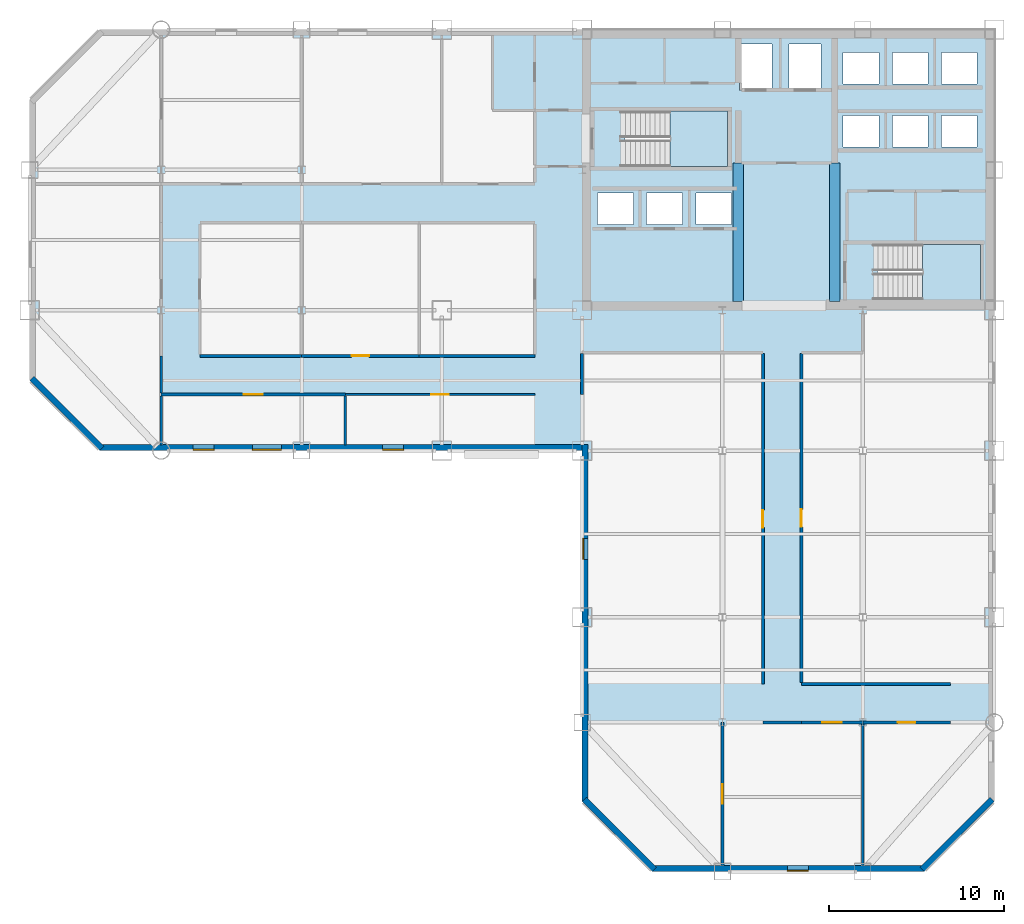
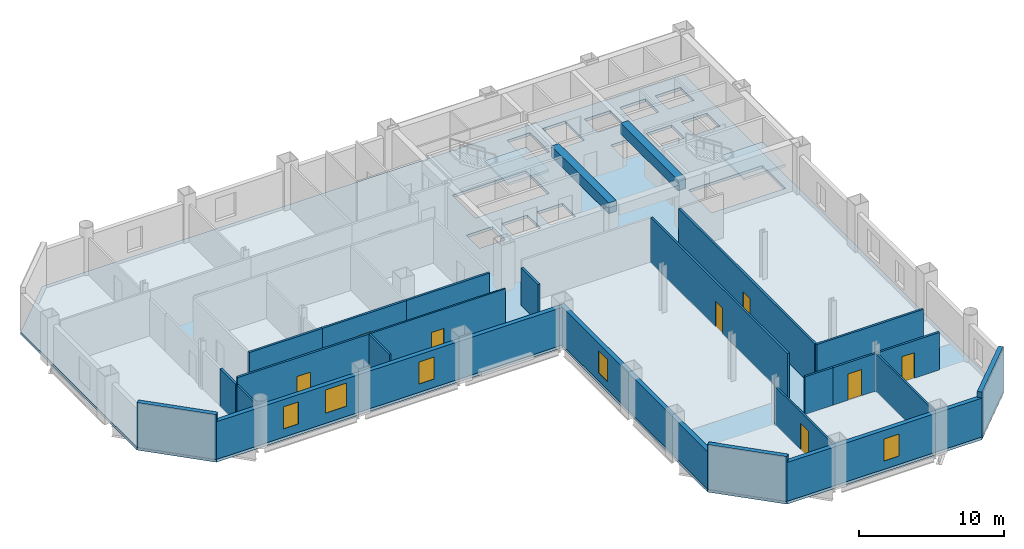
# One storey, part 5 of 10: 23 walls, 8 doors, 5 windows, 3 slabs, 2 beams, 13 openings, 2 elements without a shape of their own.
"""IFC4 building model written with IfcOpenShell, lengths in metres."""

from ifc_helpers import new_model, si_unit, direction, frame, frame_2d, origin, origin_2d, place, context, subcontext, project, spatial, polyline, rectangle, outline, extrude, material, layer, layer_set, material_profile, profile_set, type_object, element, fill, aggregate, save


model = new_model("IFC4")

# Units and contexts
model_context = context("Model", 3, precision=1e-05, world=origin(), true_north=direction((0.0, 1.0)))
body_context = subcontext(model_context, "Body", "Model", "MODEL_VIEW")
ifc_project = project(units=[si_unit("LENGTHUNIT", "METRE"), si_unit("AREAUNIT", "SQUARE_METRE"), si_unit("VOLUMEUNIT", "CUBIC_METRE"), si_unit("PLANEANGLEUNIT", "RADIAN"), si_unit("MASSUNIT", "GRAM", prefix="KILO")], contexts=[model_context])

# Site, building, storey
site_placement = place(None, origin())
site = spatial("IfcSite", under=ifc_project, at=site_placement, CompositionType="ELEMENT")
building_placement = place(site_placement, origin())
building = spatial("IfcBuilding", under=site, at=building_placement, Name="Qianrong Seaharbour Tower", CompositionType="ELEMENT")
storey_placement = place(building_placement, frame((0.0, 0.0, 135.0)))
storey = spatial("IfcBuildingStorey", under=building, at=storey_placement, Name="L32", CompositionType="ELEMENT", Elevation=135.0)

# Beams
ifc_material_1 = material(Name="Concrete C70/85", Category="concrete")
ifc_material_profile = material_profile(ifc_material_1, rectangle(XDim=0.60009765625, YDim=0.89990234375, at=origin_2d()), Name="RC600x900")
ifc_profile_set = profile_set([ifc_material_profile], Name="Concrete C70/85")
beam_type = type_object("IfcBeamType", Name="BM-LINTEL-900", PredefinedType="LINTEL", material=ifc_profile_set)
for number, where, z_axis, x_axis, name in (
    (1, (49.39990234375, 36.5, 3.31494140625), (0.0, 1.0, 0.0), (-1.0, 0.0, 0.0), "L32 Internal Core Coupling Beam IW1"),
    (2, (54.89990234375, 36.5, 3.31494140625), (0.0, 1.0, 0.0), (-1.0, 0.0, 0.0), "L32 Internal Core Coupling Beam IW2"),
):
    element("IfcBeam", number, at=place(storey_placement, frame(where, z_axis=z_axis, x_axis=x_axis)), inside=storey, type_object=beam_type, Name=name, PredefinedType="LINTEL", context=body_context, shape_type="SweptSolid", body=[
        extrude(rectangle(XDim=0.60009765625, YDim=0.89990234375, at=origin_2d()), origin(), (0.0, 0.0, 1.0), 7.89990234375),
    ])

# Stair, slab
ifc_material_2 = material(Name="Concrete C50/60", Category="concrete")
stair_type = type_object("IfcStairType", Name="STAIR-DOGLEG-1500-R22", PredefinedType="HALF_TURN_STAIR", material=ifc_material_2)
stair_1_placement = place(storey_placement, origin())
stair_1 = element("IfcStair", 3, at=stair_1_placement, inside=storey, type_object=stair_type, Name="L32 Protected Escape Stair ST-1", PredefinedType="HALF_TURN_STAIR")
ifc_layer_1 = layer(ifc_material_2, 0.199951171875)
ifc_layer_set_1 = layer_set([ifc_layer_1], Name="Concrete C50/60")
slab_type_1 = type_object("IfcSlabType", Name="SLAB-STAIR-LANDING-200", PredefinedType="LANDING", material=ifc_layer_set_1)
slab_1_placement = place(storey_placement, frame((0.0, 0.0, 1.800048828125)))
slab_1 = element("IfcSlab", 4, at=slab_1_placement, type_object=slab_type_1, Name="ST-1 landing 1", PredefinedType="LANDING", context=body_context, shape_type="SweptSolid", body=[
    extrude(outline(polyline([(45.5, 44.199951171875), (48.800048828125, 44.199951171875), (48.800048828125, 47.35009765625), (45.5, 47.35009765625), (45.5, 44.199951171875)])), origin(), (0.0, 0.0, 1.0), 0.199951171875),
])
aggregate(stair_1, [slab_1])

stair_2_placement = place(storey_placement, origin())
stair_2 = element("IfcStair", 5, at=stair_2_placement, inside=storey, type_object=stair_type, Name="L32 Protected Escape Stair ST-2", PredefinedType="HALF_TURN_STAIR")
slab_2_placement = place(storey_placement, frame((0.0, 0.0, 1.800048828125)))
slab_2 = element("IfcSlab", 6, at=slab_2_placement, type_object=slab_type_1, Name="ST-2 landing 1", PredefinedType="LANDING", context=body_context, shape_type="SweptSolid", body=[
    extrude(outline(polyline([(59.89990234375, 36.60009765625), (63.199951171875, 36.60009765625), (63.199951171875, 39.75), (59.89990234375, 39.75), (59.89990234375, 36.60009765625)])), origin(), (0.0, 0.0, 1.0), 0.199951171875),
])
aggregate(stair_2, [slab_2])

# Slab
ifc_layer_2 = layer(ifc_material_2, 0.235107421875)
ifc_layer_set_2 = layer_set([ifc_layer_2], Name="Concrete C50/60")
slab_type_2 = type_object("IfcSlabType", Name="SLAB-Z2-235", PredefinedType="FLOOR", material=ifc_layer_set_2)
slab_3_placement = place(storey_placement, frame((0.0, 0.0, -0.235107421875)))
element("IfcSlab", 7, at=slab_3_placement, inside=storey, type_object=slab_type_2, Name="L32 Structural Floor Slab", PredefinedType="FLOOR", context=body_context, shape_type="SweptSolid", body=[
    extrude(outline(polyline([(44.5, 4.0), (60.0, 4.0), (64.0, 8.0), (64.0, 52.0), (13.0, 52.0), (9.0, 48.0), (9.0, 32.0), (13.0, 28.0), (40.5, 28.0), (40.5, 8.0), (44.5, 4.0)]), holes=[polyline([(42.93994140625, 44.199951171875), (42.93994140625, 47.35009765625), (48.800048828125, 47.35009765625), (48.800048828125, 44.199951171875), (42.93994140625, 44.199951171875)]), polyline([(57.340087890625, 36.60009765625), (57.340087890625, 39.75), (63.199951171875, 39.75), (63.199951171875, 36.60009765625), (57.340087890625, 36.60009765625)]), polyline([(49.47998046875, 48.530029296875), (49.47998046875, 51.169921875), (51.320068359375, 51.169921875), (51.320068359375, 48.530029296875), (49.47998046875, 48.530029296875)]), polyline([(52.280029296875, 48.530029296875), (52.280029296875, 51.169921875), (54.1201171875, 51.169921875), (54.1201171875, 48.530029296875), (52.280029296875, 48.530029296875)]), polyline([(41.3798828125, 40.89990234375), (41.3798828125, 42.699951171875), (43.419921875, 42.699951171875), (43.419921875, 40.89990234375), (41.3798828125, 40.89990234375)]), polyline([(44.179931640625, 40.89990234375), (44.179931640625, 42.699951171875), (46.219970703125, 42.699951171875), (46.219970703125, 40.89990234375), (44.179931640625, 40.89990234375)]), polyline([(46.97998046875, 40.89990234375), (46.97998046875, 42.699951171875), (49.02001953125, 42.699951171875), (49.02001953125, 40.89990234375), (46.97998046875, 40.89990234375)]), polyline([(55.3798828125, 45.300048828125), (55.3798828125, 47.10009765625), (57.419921875, 47.10009765625), (57.419921875, 45.300048828125), (55.3798828125, 45.300048828125)]), polyline([(58.179931640625, 45.300048828125), (58.179931640625, 47.10009765625), (60.219970703125, 47.10009765625), (60.219970703125, 45.300048828125), (58.179931640625, 45.300048828125)]), polyline([(60.97998046875, 45.300048828125), (60.97998046875, 47.10009765625), (63.02001953125, 47.10009765625), (63.02001953125, 45.300048828125), (60.97998046875, 45.300048828125)]), polyline([(55.3798828125, 48.89990234375), (55.3798828125, 50.699951171875), (57.419921875, 50.699951171875), (57.419921875, 48.89990234375), (55.3798828125, 48.89990234375)]), polyline([(58.179931640625, 48.89990234375), (58.179931640625, 50.699951171875), (60.219970703125, 50.699951171875), (60.219970703125, 48.89990234375), (58.179931640625, 48.89990234375)]), polyline([(60.97998046875, 48.89990234375), (60.97998046875, 50.699951171875), (63.02001953125, 50.699951171875), (63.02001953125, 48.89990234375), (60.97998046875, 48.89990234375)])]), origin(), (0.0, 0.0, 1.0), 0.235107421875),
])

# Wall
ifc_material_3 = material(Name="Fire-rated acoustic gypsum board partition")
ifc_layer_3 = layer(ifc_material_3, 0.1650390625)
ifc_layer_set_3 = layer_set([ifc_layer_3], Name="Fire-rated acoustic gypsum board partition")
wall_type_1 = type_object("IfcWallType", Name="WALL-CORR-PART-165", PredefinedType="PARTITIONING", material=ifc_layer_set_3)
wall_1_placement = place(storey_placement, frame((18.699951171875, 33.39990234375, 0.0), z_axis=(0.0, 0.0, 1.0), x_axis=(1.0, 0.0, 0.0)))
element("IfcWall", 8, at=wall_1_placement, inside=storey, type_object=wall_type_1, Name="L32 Interior Partition Wall 015", PredefinedType="PARTITIONING", context=body_context, shape_type="SweptSolid", body=[
    extrude(rectangle(XDim=5.800048828125, YDim=0.1650390625, at=frame_2d((2.89990234375, 0.0))), origin(), (0.0, 0.0, 1.0), 3.764892578125),
])

# Wall, opening, door
wall_2_placement = place(storey_placement, frame((24.5, 33.39990234375, 0.0), z_axis=(0.0, 0.0, 1.0), x_axis=(1.0, 0.0, 0.0)))
wall_2 = element("IfcWall", 9, at=wall_2_placement, inside=storey, type_object=wall_type_1, Name="L32 Interior Partition Wall 016", PredefinedType="PARTITIONING", context=body_context, shape_type="SweptSolid", body=[
    extrude(rectangle(XDim=6.699951171875, YDim=0.1650390625, at=frame_2d((3.35009765625, 0.0))), origin(), (0.0, 0.0, 1.0), 3.764892578125),
])
opening_1_placement = place(wall_2_placement, frame((2.85009765625, 0.0, 0.0)))
opening_1 = element("IfcOpeningElement", 10, at=opening_1_placement, cuts=wall_2, Name="Opening DO-01", PredefinedType="OPENING", context=body_context, shape_type="SweptSolid", body=[
    extrude(rectangle(XDim=1.0, YDim=2.14990234375, at=frame_2d((0.5, 1.074951171875))), frame((0.0, 0.092529296875, 0.0), z_axis=(0.0, -1.0, 0.0), x_axis=(1.0, 0.0, 0.0)), (0.0, 0.0, 1.0), 0.18505859375),
])
ifc_material_4 = material(Name="Acoustic timber and galvanized steel fire door assembly", Category="steel")
door_type_1 = type_object("IfcDoorType", Name="DOOR-OFFICE-1000x2150", OperationType="NOTDEFINED", PredefinedType="DOOR", material=ifc_material_4)
door_1_placement = place(opening_1_placement, origin())
door_1 = element("IfcDoor", 11, at=door_1_placement, inside=storey, type_object=door_type_1, Name="L32 Project Library 2 Door", OperationType="SINGLE_SWING_LEFT", OverallHeight=2.14990234375, OverallWidth=1.0, PredefinedType="DOOR", context=body_context, shape_type="SweptSolid", body=[
    extrude(rectangle(XDim=1.0, YDim=2.14990234375, at=frame_2d((0.5, 1.074951171875))), frame((0.0, 0.02490234375, 0.0), z_axis=(0.0, -1.0, 0.0), x_axis=(1.0, 0.0, 0.0)), (0.0, 0.0, 1.0), 0.050048828125),
])
fill(opening_1, door_1)

# Walls
wall_3_placement = place(storey_placement, frame((31.199951171875, 33.39990234375, 0.0), z_axis=(0.0, 0.0, 1.0), x_axis=(1.0, 0.0, 0.0)))
element("IfcWall", 12, at=wall_3_placement, inside=storey, type_object=wall_type_1, Name="L32 Interior Partition Wall 017", PredefinedType="PARTITIONING", context=body_context, shape_type="SweptSolid", body=[
    extrude(rectangle(XDim=6.60009765625, YDim=0.1650390625, at=frame_2d((3.300048828125, 0.0))), origin(), (0.0, 0.0, 1.0), 3.764892578125),
])
wall_4_placement = place(storey_placement, frame((16.5, 31.2744140625, 0.0), z_axis=(0.0, 0.0, 1.0), x_axis=(0.0, 1.0, 0.0)))
element("IfcWall", 13, at=wall_4_placement, inside=storey, type_object=wall_type_1, Name="L32 Interior Partition Wall 018", PredefinedType="PARTITIONING", context=body_context, shape_type="SweptSolid", body=[
    extrude(rectangle(XDim=2.12548828125, YDim=0.1650390625, at=frame_2d((1.062744140625, 0.0))), origin(), (0.0, 0.0, 1.0), 3.156982421875),
])

# Wall, opening, door
wall_5_placement = place(storey_placement, frame((27.0, 31.199951171875, 0.0), z_axis=(0.0, 0.0, 1.0), x_axis=(-1.0, 0.0, 0.0)))
wall_5 = element("IfcWall", 14, at=wall_5_placement, inside=storey, type_object=wall_type_1, Name="L32 Interior Partition Wall 019", PredefinedType="PARTITIONING", context=body_context, shape_type="SweptSolid", body=[
    extrude(rectangle(XDim=10.5, YDim=0.1650390625, at=frame_2d((5.25, 0.0))), origin(), (0.0, 0.0, 1.0), 3.764892578125),
])
opening_2_placement = place(wall_5_placement, frame((4.699951171875, 0.0, 0.0)))
opening_2 = element("IfcOpeningElement", 15, at=opening_2_placement, cuts=wall_5, Name="Opening DM-01", PredefinedType="OPENING", context=body_context, shape_type="SweptSolid", body=[
    extrude(rectangle(XDim=1.10009765625, YDim=2.199951171875, at=frame_2d((0.550048828125, 1.10009765625))), frame((0.0, 0.092529296875, 0.0), z_axis=(0.0, -1.0, 0.0), x_axis=(1.0, 0.0, 0.0)), (0.0, 0.0, 1.0), 0.18505859375),
])
door_type_2 = type_object("IfcDoorType", Name="DOOR-MEET-1100x2200", OperationType="NOTDEFINED", PredefinedType="DOOR", material=ifc_material_4)
door_2_placement = place(opening_2_placement, origin())
door_2 = element("IfcDoor", 16, at=door_2_placement, inside=storey, type_object=door_type_2, Name="L32 Meeting Room 1 Door", OperationType="SINGLE_SWING_RIGHT", OverallHeight=2.199951171875, OverallWidth=1.10009765625, PredefinedType="DOOR", context=body_context, shape_type="SweptSolid", body=[
    extrude(rectangle(XDim=1.10009765625, YDim=2.199951171875, at=frame_2d((0.550048828125, 1.10009765625))), frame((0.0, 0.02490234375, 0.0), z_axis=(0.0, -1.0, 0.0), x_axis=(1.0, 0.0, 0.0)), (0.0, 0.0, 1.0), 0.050048828125),
])
fill(opening_2, door_2)

# Wall
wall_6_placement = place(storey_placement, frame((40.5, 33.525390625, 0.0), z_axis=(0.0, 0.0, 1.0), x_axis=(0.0, -1.0, 0.0)))
element("IfcWall", 17, at=wall_6_placement, inside=storey, type_object=wall_type_1, Name="L32 Interior Partition Wall 030", PredefinedType="PARTITIONING", context=body_context, shape_type="SweptSolid", body=[
    extrude(rectangle(XDim=2.325439453125, YDim=0.1650390625, at=frame_2d((1.16259765625, 0.0))), origin(), (0.0, 0.0, 1.0), 3.156982421875),
])

# Wall, opening, door
wall_7_placement = place(storey_placement, frame((53.0, 33.525390625, 0.0), z_axis=(0.0, 0.0, 1.0), x_axis=(0.0, -1.0, 0.0)))
wall_7 = element("IfcWall", 18, at=wall_7_placement, inside=storey, type_object=wall_type_1, Name="L32 Interior Partition Wall 036", PredefinedType="PARTITIONING", context=body_context, shape_type="SweptSolid", body=[
    extrude(rectangle(XDim=18.7509765625, YDim=0.1650390625, at=frame_2d((9.37548828125, 0.0))), origin(), (0.0, 0.0, 1.0), 3.764892578125),
])
opening_3_placement = place(wall_7_placement, frame((8.87548828125, 0.0, 0.0)))
opening_3 = element("IfcOpeningElement", 19, at=opening_3_placement, cuts=wall_7, Name="Opening DO-01", PredefinedType="OPENING", context=body_context, shape_type="SweptSolid", body=[
    extrude(rectangle(XDim=1.0, YDim=2.14990234375, at=frame_2d((0.5, 1.074951171875))), frame((0.0, 0.092529296875, 0.0), z_axis=(0.0, -1.0, 0.0), x_axis=(1.0, 0.0, 0.0)), (0.0, 0.0, 1.0), 0.18505859375),
])
door_3_placement = place(opening_3_placement, origin())
door_3 = element("IfcDoor", 20, at=door_3_placement, inside=storey, type_object=door_type_1, Name="L32 South Wing Open-Plan Office Door", OperationType="SINGLE_SWING_RIGHT", OverallHeight=2.14990234375, OverallWidth=1.0, PredefinedType="DOOR", context=body_context, shape_type="SweptSolid", body=[
    extrude(rectangle(XDim=1.0, YDim=2.14990234375, at=frame_2d((0.5, 1.074951171875))), frame((0.0, 0.02490234375, 0.0), z_axis=(0.0, -1.0, 0.0), x_axis=(1.0, 0.0, 0.0)), (0.0, 0.0, 1.0), 0.050048828125),
])
fill(opening_3, door_3)

wall_8_placement = place(storey_placement, frame((50.800048828125, 14.699951171875, 0.0), z_axis=(0.0, 0.0, 1.0), x_axis=(0.0, 1.0, 0.0)))
wall_8 = element("IfcWall", 21, at=wall_8_placement, inside=storey, type_object=wall_type_1, Name="L32 Interior Partition Wall 037", PredefinedType="PARTITIONING", context=body_context, shape_type="SweptSolid", body=[
    extrude(rectangle(XDim=18.825439453125, YDim=0.1650390625, at=frame_2d((9.41259765625, 0.0))), origin(), (0.0, 0.0, 1.0), 3.764892578125),
])
opening_4_placement = place(wall_8_placement, frame((8.912841796875, 0.0, 0.0)))
opening_4 = element("IfcOpeningElement", 22, at=opening_4_placement, cuts=wall_8, Name="Opening DO-01", PredefinedType="OPENING", context=body_context, shape_type="SweptSolid", body=[
    extrude(rectangle(XDim=1.0, YDim=2.14990234375, at=frame_2d((0.5, 1.074951171875))), frame((0.0, 0.092529296875, 0.0), z_axis=(0.0, -1.0, 0.0), x_axis=(1.0, 0.0, 0.0)), (0.0, 0.0, 1.0), 0.18505859375),
])
door_4_placement = place(opening_4_placement, origin())
door_4 = element("IfcDoor", 23, at=door_4_placement, inside=storey, type_object=door_type_1, Name="L32 West Spine Open-Plan Office Door", OperationType="SINGLE_SWING_LEFT", OverallHeight=2.14990234375, OverallWidth=1.0, PredefinedType="DOOR", context=body_context, shape_type="SweptSolid", body=[
    extrude(rectangle(XDim=1.0, YDim=2.14990234375, at=frame_2d((0.5, 1.074951171875))), frame((0.0, 0.02490234375, 0.0), z_axis=(0.0, -1.0, 0.0), x_axis=(1.0, 0.0, 0.0)), (0.0, 0.0, 1.0), 0.050048828125),
])
fill(opening_4, door_4)

# Walls
wall_9_placement = place(storey_placement, frame((53.0, 12.5, 0.0), z_axis=(0.0, 0.0, 1.0), x_axis=(-1.0, 0.0, 0.0)))
element("IfcWall", 24, at=wall_9_placement, inside=storey, type_object=wall_type_1, Name="L32 Interior Partition Wall 038", PredefinedType="PARTITIONING", context=body_context, shape_type="SweptSolid", body=[
    extrude(rectangle(XDim=2.199951171875, YDim=0.1650390625, at=frame_2d((1.10009765625, 0.0))), origin(), (0.0, 0.0, 1.0), 3.156982421875),
])
wall_10_placement = place(storey_placement, frame((53.0, 14.699951171875, 0.0), z_axis=(0.0, 0.0, 1.0), x_axis=(1.0, 0.0, 0.0)))
element("IfcWall", 25, at=wall_10_placement, inside=storey, type_object=wall_type_1, Name="L32 Interior Partition Wall 039", PredefinedType="PARTITIONING", context=body_context, shape_type="SweptSolid", body=[
    extrude(rectangle(XDim=8.5, YDim=0.1650390625, at=frame_2d((4.25, 0.0))), origin(), (0.0, 0.0, 1.0), 3.764892578125),
])

# Wall, opening, door
wall_11_placement = place(storey_placement, frame((56.5, 12.5, 0.0), z_axis=(0.0, 0.0, 1.0), x_axis=(-1.0, 0.0, 0.0)))
wall_11 = element("IfcWall", 26, at=wall_11_placement, inside=storey, type_object=wall_type_1, Name="L32 Interior Partition Wall 040", PredefinedType="PARTITIONING", context=body_context, shape_type="SweptSolid", body=[
    extrude(rectangle(XDim=3.5, YDim=0.1650390625, at=frame_2d((1.75, 0.0))), origin(), (0.0, 0.0, 1.0), 3.156982421875),
])
opening_5_placement = place(wall_11_placement, frame((1.199951171875, 0.0, 0.0)))
opening_5 = element("IfcOpeningElement", 27, at=opening_5_placement, cuts=wall_11, Name="Opening DM-01", PredefinedType="OPENING", context=body_context, shape_type="SweptSolid", body=[
    extrude(rectangle(XDim=1.10009765625, YDim=2.199951171875, at=frame_2d((0.550048828125, 1.10009765625))), frame((0.0, 0.092529296875, 0.0), z_axis=(0.0, -1.0, 0.0), x_axis=(1.0, 0.0, 0.0)), (0.0, 0.0, 1.0), 0.18505859375),
])
door_5_placement = place(opening_5_placement, origin())
door_5 = element("IfcDoor", 28, at=door_5_placement, inside=storey, type_object=door_type_2, Name="L32 Meeting Room 2 Door", OperationType="SINGLE_SWING_LEFT", OverallHeight=2.199951171875, OverallWidth=1.10009765625, PredefinedType="DOOR", context=body_context, shape_type="SweptSolid", body=[
    extrude(rectangle(XDim=1.10009765625, YDim=2.199951171875, at=frame_2d((0.550048828125, 1.10009765625))), frame((0.0, 0.02490234375, 0.0), z_axis=(0.0, -1.0, 0.0), x_axis=(1.0, 0.0, 0.0)), (0.0, 0.0, 1.0), 0.050048828125),
])
fill(opening_5, door_5)

wall_12_placement = place(storey_placement, frame((61.5, 12.5, 0.0), z_axis=(0.0, 0.0, 1.0), x_axis=(-1.0, 0.0, 0.0)))
wall_12 = element("IfcWall", 29, at=wall_12_placement, inside=storey, type_object=wall_type_1, Name="L32 Interior Partition Wall 041", PredefinedType="PARTITIONING", context=body_context, shape_type="SweptSolid", body=[
    extrude(rectangle(XDim=5.0, YDim=0.1650390625, at=frame_2d((2.5, 0.0))), origin(), (0.0, 0.0, 1.0), 3.156982421875),
])
opening_6_placement = place(wall_12_placement, frame((2.0, 0.0, 0.0)))
opening_6 = element("IfcOpeningElement", 30, at=opening_6_placement, cuts=wall_12, Name="Opening DO-01", PredefinedType="OPENING", context=body_context, shape_type="SweptSolid", body=[
    extrude(rectangle(XDim=1.0, YDim=2.14990234375, at=frame_2d((0.5, 1.074951171875))), frame((0.0, 0.092529296875, 0.0), z_axis=(0.0, -1.0, 0.0), x_axis=(1.0, 0.0, 0.0)), (0.0, 0.0, 1.0), 0.18505859375),
])
door_6_placement = place(opening_6_placement, origin())
door_6 = element("IfcDoor", 31, at=door_6_placement, inside=storey, type_object=door_type_1, Name="L32 Standards Library 3 Door", OperationType="SINGLE_SWING_RIGHT", OverallHeight=2.14990234375, OverallWidth=1.0, PredefinedType="DOOR", context=body_context, shape_type="SweptSolid", body=[
    extrude(rectangle(XDim=1.0, YDim=2.14990234375, at=frame_2d((0.5, 1.074951171875))), frame((0.0, 0.02490234375, 0.0), z_axis=(0.0, -1.0, 0.0), x_axis=(1.0, 0.0, 0.0)), (0.0, 0.0, 1.0), 0.050048828125),
])
fill(opening_6, door_6)

# Wall, opening, window
ifc_material_5 = material(Name="Unitised buff brick on Precast concrete C45/55", Category="masonry")
ifc_layer_4 = layer(ifc_material_5, 0.340087890625)
ifc_layer_set_4 = layer_set([ifc_layer_4], Name="Unitised buff brick on Precast concrete C45/55")
wall_type_2 = type_object("IfcWallType", Name="WALL-EXT-BRICK-BUFF-340", PredefinedType="SOLIDWALL", material=ifc_layer_set_4)
wall_13_placement = place(storey_placement, frame((40.669921875, 8.0, 0.0), z_axis=(0.0, 0.0, 1.0), x_axis=(0.0, 1.0, 0.0)))
wall_13 = element("IfcWall", 32, at=wall_13_placement, inside=storey, type_object=wall_type_2, Name="L32 Exterior Masonry Facade Wall REENTRANT_WEST", PredefinedType="SOLIDWALL", context=body_context, shape_type="SweptSolid", body=[
    extrude(rectangle(XDim=20.340087890625, YDim=0.340087890625, at=frame_2d((10.169921875, 0.0))), origin(), (0.0, 0.0, 1.0), 3.1650390625),
])
opening_7_placement = place(wall_13_placement, frame((13.800048828125, 0.0, 0.699951171875)))
opening_7 = element("IfcOpeningElement", 33, at=opening_7_placement, cuts=wall_13, Name="Opening WN-01", PredefinedType="OPENING", context=body_context, shape_type="SweptSolid", body=[
    extrude(rectangle(XDim=1.199951171875, YDim=1.85009765625, at=frame_2d((0.60009765625, 0.925048828125))), frame((0.0, 0.18017578125, 0.0), z_axis=(0.0, -1.0, 0.0), x_axis=(1.0, 0.0, 0.0)), (0.0, 0.0, 1.0), 0.360107421875),
])
ifc_material_6 = material(Name="Insulated low-e double glazing in thermally broken aluminium 6063-T6 frame", Category="aluminium")
window_type_1 = type_object("IfcWindowType", Name="WIN-PUNCH-1200x1850", PartitioningType="DOUBLE_PANEL_VERTICAL", PredefinedType="WINDOW", material=ifc_material_6)
window_1_placement = place(opening_7_placement, origin())
window_1 = element("IfcWindow", 34, at=window_1_placement, inside=storey, type_object=window_type_1, Name="L32 Deep-Set Punched Window 00.04", OverallHeight=1.85009765625, OverallWidth=1.199951171875, PartitioningType="DOUBLE_PANEL_VERTICAL", PredefinedType="WINDOW", context=body_context, shape_type="SweptSolid", body=[
    extrude(rectangle(XDim=1.199951171875, YDim=1.85009765625, at=frame_2d((0.60009765625, 0.925048828125))), frame((0.0, 0.150146484375, 0.0), z_axis=(0.0, -1.0, 0.0), x_axis=(1.0, 0.0, 0.0)), (0.0, 0.0, 1.0), 0.06005859375),
])
fill(opening_7, window_1)

# Wall, openings, windows
wall_14_placement = place(storey_placement, frame((40.52001953125, 28.169921875, 0.0), z_axis=(0.0, 0.0, 1.0), x_axis=(-1.0, 0.0, 0.0)))
wall_14 = element("IfcWall", 35, at=wall_14_placement, inside=storey, type_object=wall_type_2, Name="L32 Exterior Masonry Facade Wall HARBOUR_RIBBON", PredefinedType="SOLIDWALL", context=body_context, shape_type="SweptSolid", body=[
    extrude(rectangle(XDim=27.52001953125, YDim=0.340087890625, at=frame_2d((13.760009765625, 0.0))), origin(), (0.0, 0.0, 1.0), 3.1650390625),
])
opening_8_placement = place(wall_14_placement, frame((10.199951171875, 0.0, 0.699951171875)))
opening_8 = element("IfcOpeningElement", 36, at=opening_8_placement, cuts=wall_14, Name="Opening WN-01", PredefinedType="OPENING", context=body_context, shape_type="SweptSolid", body=[
    extrude(rectangle(XDim=1.199951171875, YDim=1.85009765625, at=frame_2d((0.60009765625, 0.925048828125))), frame((0.0, 0.18017578125, 0.0), z_axis=(0.0, -1.0, 0.0), x_axis=(1.0, 0.0, 0.0)), (0.0, 0.0, 1.0), 0.360107421875),
])
opening_9_placement = place(wall_14_placement, frame((17.175048828125, 0.0, 0.85009765625)))
opening_9 = element("IfcOpeningElement", 37, at=opening_9_placement, cuts=wall_14, Name="Opening WN-04", PredefinedType="OPENING", context=body_context, shape_type="SweptSolid", body=[
    extrude(rectangle(XDim=1.64990234375, YDim=1.949951171875, at=frame_2d((0.824951171875, 0.97509765625))), frame((0.0, 0.18017578125, 0.0), z_axis=(0.0, -1.0, 0.0), x_axis=(1.0, 0.0, 0.0)), (0.0, 0.0, 1.0), 0.360107421875),
])
opening_10_placement = place(wall_14_placement, frame((21.0, 0.0, 0.699951171875)))
opening_10 = element("IfcOpeningElement", 38, at=opening_10_placement, cuts=wall_14, Name="Opening WN-01", PredefinedType="OPENING", context=body_context, shape_type="SweptSolid", body=[
    extrude(rectangle(XDim=1.199951171875, YDim=1.85009765625, at=frame_2d((0.60009765625, 0.925048828125))), frame((0.0, 0.18017578125, 0.0), z_axis=(0.0, -1.0, 0.0), x_axis=(1.0, 0.0, 0.0)), (0.0, 0.0, 1.0), 0.360107421875),
])
window_2_placement = place(opening_8_placement, origin())
window_2 = element("IfcWindow", 39, at=window_2_placement, inside=storey, type_object=window_type_1, Name="L32 Deep-Set Punched Window 01.03", OverallHeight=1.85009765625, OverallWidth=1.199951171875, PartitioningType="DOUBLE_PANEL_VERTICAL", PredefinedType="WINDOW", context=body_context, shape_type="SweptSolid", body=[
    extrude(rectangle(XDim=1.199951171875, YDim=1.85009765625, at=frame_2d((0.60009765625, 0.925048828125))), frame((0.0, 0.150146484375, 0.0), z_axis=(0.0, -1.0, 0.0), x_axis=(1.0, 0.0, 0.0)), (0.0, 0.0, 1.0), 0.06005859375),
])
fill(opening_8, window_2)
window_3_placement = place(opening_10_placement, origin())
window_3 = element("IfcWindow", 40, at=window_3_placement, inside=storey, type_object=window_type_1, Name="L32 Deep-Set Punched Window 01.06", OverallHeight=1.85009765625, OverallWidth=1.199951171875, PartitioningType="DOUBLE_PANEL_VERTICAL", PredefinedType="WINDOW", context=body_context, shape_type="SweptSolid", body=[
    extrude(rectangle(XDim=1.199951171875, YDim=1.85009765625, at=frame_2d((0.60009765625, 0.925048828125))), frame((0.0, 0.150146484375, 0.0), z_axis=(0.0, -1.0, 0.0), x_axis=(1.0, 0.0, 0.0)), (0.0, 0.0, 1.0), 0.06005859375),
])
fill(opening_10, window_3)
window_type_2 = type_object("IfcWindowType", Name="WIN-PUNCH-1650x1950", PartitioningType="DOUBLE_PANEL_VERTICAL", PredefinedType="WINDOW", material=ifc_material_6)
window_4_placement = place(opening_9_placement, origin())
window_4 = element("IfcWindow", 41, at=window_4_placement, inside=storey, type_object=window_type_2, Name="L32 Deep-Set Punched Window 01.05", OverallHeight=1.949951171875, OverallWidth=1.64990234375, PartitioningType="DOUBLE_PANEL_VERTICAL", PredefinedType="WINDOW", context=body_context, shape_type="SweptSolid", body=[
    extrude(rectangle(XDim=1.64990234375, YDim=1.949951171875, at=frame_2d((0.824951171875, 0.97509765625))), frame((0.0, 0.150146484375, 0.0), z_axis=(0.0, -1.0, 0.0), x_axis=(1.0, 0.0, 0.0)), (0.0, 0.0, 1.0), 0.06005859375),
])
fill(opening_9, window_4)

# Walls
for number, where, z_axis, x_axis, name in (
    (42, (13.1201171875, 28.1201171875, 0.0), (0.0, 0.0, 1.0), (-0.707106781187, 0.707106781187, 0.0), "L32 Exterior Masonry Facade Wall E02"),
    (43, (63.8798828125, 8.1201171875, 0.0), (0.0, 0.0, 1.0), (-0.707106781187, -0.707106781187, 0.0), "L32 Exterior Masonry Facade Wall E07"),
):
    element("IfcWall", number, at=place(storey_placement, frame(where, z_axis=z_axis, x_axis=x_axis)), inside=storey, type_object=wall_type_2, Name=name, PredefinedType="SOLIDWALL", context=body_context, shape_type="SweptSolid", body=[
        extrude(rectangle(XDim=5.65673828125, YDim=0.340087890625, at=frame_2d((2.828369140625, 0.0))), origin(), (0.0, 0.0, 1.0), 3.764892578125),
    ])

# Wall, opening, window
wall_15_placement = place(storey_placement, frame((60.0, 4.169921875, 0.0), z_axis=(0.0, 0.0, 1.0), x_axis=(-1.0, 0.0, 0.0)))
wall_15 = element("IfcWall", 44, at=wall_15_placement, inside=storey, type_object=wall_type_2, Name="L32 Exterior Masonry Facade Wall SOUTH_TIP", PredefinedType="SOLIDWALL", context=body_context, shape_type="SweptSolid", body=[
    extrude(rectangle(XDim=15.5, YDim=0.340087890625, at=frame_2d((7.75, 0.0))), origin(), (0.0, 0.0, 1.0), 3.264892578125),
])
opening_11_placement = place(wall_15_placement, frame((6.60009765625, 0.0, 0.699951171875)))
opening_11 = element("IfcOpeningElement", 45, at=opening_11_placement, cuts=wall_15, Name="Opening WN-01", PredefinedType="OPENING", context=body_context, shape_type="SweptSolid", body=[
    extrude(rectangle(XDim=1.199951171875, YDim=1.85009765625, at=frame_2d((0.60009765625, 0.925048828125))), frame((0.0, 0.18017578125, 0.0), z_axis=(0.0, -1.0, 0.0), x_axis=(1.0, 0.0, 0.0)), (0.0, 0.0, 1.0), 0.360107421875),
])
window_5_placement = place(opening_11_placement, origin())
window_5 = element("IfcWindow", 46, at=window_5_placement, inside=storey, type_object=window_type_1, Name="L32 Deep-Set Punched Window 08.02", OverallHeight=1.85009765625, OverallWidth=1.199951171875, PartitioningType="DOUBLE_PANEL_VERTICAL", PredefinedType="WINDOW", context=body_context, shape_type="SweptSolid", body=[
    extrude(rectangle(XDim=1.199951171875, YDim=1.85009765625, at=frame_2d((0.60009765625, 0.925048828125))), frame((0.0, 0.150146484375, 0.0), z_axis=(0.0, -1.0, 0.0), x_axis=(1.0, 0.0, 0.0)), (0.0, 0.0, 1.0), 0.06005859375),
])
fill(opening_11, window_5)

# Walls
wall_16_placement = place(storey_placement, frame((44.6201171875, 4.1201171875, 0.0), z_axis=(0.0, 0.0, 1.0), x_axis=(-0.707106781187, 0.707106781187, 0.0)))
element("IfcWall", 47, at=wall_16_placement, inside=storey, type_object=wall_type_2, Name="L32 Exterior Masonry Facade Wall E09", PredefinedType="SOLIDWALL", context=body_context, shape_type="SweptSolid", body=[
    extrude(rectangle(XDim=5.65673828125, YDim=0.340087890625, at=frame_2d((2.828369140625, 0.0))), origin(), (0.0, 0.0, 1.0), 3.764892578125),
])
ifc_material_7 = material(Name="Acoustic gypsum board stud partition")
ifc_layer_5 = layer(ifc_material_7, 0.14501953125)
ifc_layer_set_5 = layer_set([ifc_layer_5], Name="Acoustic gypsum board stud partition")
wall_type_3 = type_object("IfcWallType", Name="WALL-OFFICE-PART-145", PredefinedType="PARTITIONING", material=ifc_layer_set_5)
wall_17_placement = place(storey_placement, frame((16.5, 31.12548828125, 0.0), z_axis=(0.0, 0.0, 1.0), x_axis=(0.0, -1.0, 0.0)))
element("IfcWall", 48, at=wall_17_placement, inside=storey, type_object=wall_type_3, Name="L32 Interior Partition Wall 048", PredefinedType="PARTITIONING", context=body_context, shape_type="SweptSolid", body=[
    extrude(rectangle(XDim=2.79345703125, YDim=0.14501953125, at=frame_2d((1.396728515625, 0.0))), origin(), (0.0, 0.0, 1.0), 3.156982421875),
])

# Wall, opening, door
wall_18_placement = place(storey_placement, frame((48.5, 12.5, 0.0), z_axis=(0.0, 0.0, 1.0), x_axis=(0.0, -1.0, 0.0)))
wall_18 = element("IfcWall", 49, at=wall_18_placement, inside=storey, type_object=wall_type_3, Name="L32 Interior Partition Wall 050", PredefinedType="PARTITIONING", context=body_context, shape_type="SweptSolid", body=[
    extrude(rectangle(XDim=8.16796875, YDim=0.14501953125, at=frame_2d((4.083984375, 0.0))), origin(), (0.0, 0.0, 1.0), 3.156982421875),
])
opening_12_placement = place(wall_18_placement, frame((3.533935546875, 0.0, 0.0)))
opening_12 = element("IfcOpeningElement", 50, at=opening_12_placement, cuts=wall_18, Name="Opening DM-01", PredefinedType="OPENING", context=body_context, shape_type="SweptSolid", body=[
    extrude(rectangle(XDim=1.10009765625, YDim=2.199951171875, at=frame_2d((0.550048828125, 1.10009765625))), frame((0.0, 0.08251953125, 0.0), z_axis=(0.0, -1.0, 0.0), x_axis=(1.0, 0.0, 0.0)), (0.0, 0.0, 1.0), 0.1650390625),
])
door_7_placement = place(opening_12_placement, origin())
door_7 = element("IfcDoor", 51, at=door_7_placement, inside=storey, type_object=door_type_2, Name="L32 Maritime Seminar Room 1 Door", OperationType="SINGLE_SWING_RIGHT", OverallHeight=2.199951171875, OverallWidth=1.10009765625, PredefinedType="DOOR", context=body_context, shape_type="SweptSolid", body=[
    extrude(rectangle(XDim=1.10009765625, YDim=2.199951171875, at=frame_2d((0.550048828125, 1.10009765625))), frame((0.0, 0.02490234375, 0.0), z_axis=(0.0, -1.0, 0.0), x_axis=(1.0, 0.0, 0.0)), (0.0, 0.0, 1.0), 0.050048828125),
])
fill(opening_12, door_7)

# Wall
wall_19_placement = place(storey_placement, frame((56.5, 12.425537109375, 0.0), z_axis=(0.0, 0.0, 1.0), x_axis=(0.0, -1.0, 0.0)))
element("IfcWall", 52, at=wall_19_placement, inside=storey, type_object=wall_type_3, Name="L32 Interior Partition Wall 051", PredefinedType="PARTITIONING", context=body_context, shape_type="SweptSolid", body=[
    extrude(rectangle(XDim=8.093505859375, YDim=0.14501953125, at=frame_2d((4.046875, 0.0))), origin(), (0.0, 0.0, 1.0), 3.156982421875),
])

# Wall, opening, door
ifc_material_8 = material(Name="Water-resistant cement board sanitary partition")
ifc_layer_6 = layer(ifc_material_8, 0.1298828125)
ifc_layer_set_6 = layer_set([ifc_layer_6], Name="Water-resistant cement board sanitary partition")
wall_type_4 = type_object("IfcWallType", Name="WALL-WET-PART-130", PredefinedType="PARTITIONING", material=ifc_layer_set_6)
wall_20_placement = place(storey_placement, frame((37.800048828125, 31.199951171875, 0.0), z_axis=(0.0, 0.0, 1.0), x_axis=(-1.0, 0.0, 0.0)))
wall_20 = element("IfcWall", 53, at=wall_20_placement, inside=storey, type_object=wall_type_4, Name="L32 Interior Partition Wall 020", PredefinedType="PARTITIONING", context=body_context, shape_type="SweptSolid", body=[
    extrude(rectangle(XDim=10.800048828125, YDim=0.1298828125, at=frame_2d((5.39990234375, 0.0))), origin(), (0.0, 0.0, 1.0), 3.764892578125),
])
opening_13_placement = place(wall_20_placement, frame((4.89990234375, 0.0, 0.0)))
opening_13 = element("IfcOpeningElement", 54, at=opening_13_placement, cuts=wall_20, Name="Opening DO-01", PredefinedType="OPENING", context=body_context, shape_type="SweptSolid", body=[
    extrude(rectangle(XDim=1.0, YDim=2.14990234375, at=frame_2d((0.5, 1.074951171875))), frame((0.0, 0.074951171875, 0.0), z_axis=(0.0, -1.0, 0.0), x_axis=(1.0, 0.0, 0.0)), (0.0, 0.0, 1.0), 0.14990234375),
])
door_8_placement = place(opening_13_placement, origin())
door_8 = element("IfcDoor", 55, at=door_8_placement, inside=storey, type_object=door_type_1, Name="L32 Wet Pantry 2 Door", OperationType="SINGLE_SWING_LEFT", OverallHeight=2.14990234375, OverallWidth=1.0, PredefinedType="DOOR", context=body_context, shape_type="SweptSolid", body=[
    extrude(rectangle(XDim=1.0, YDim=2.14990234375, at=frame_2d((0.5, 1.074951171875))), frame((0.0, 0.02490234375, 0.0), z_axis=(0.0, -1.0, 0.0), x_axis=(1.0, 0.0, 0.0)), (0.0, 0.0, 1.0), 0.050048828125),
])
fill(opening_13, door_8)

# Wall
wall_21_placement = place(storey_placement, frame((27.0, 31.12548828125, 0.0), z_axis=(0.0, 0.0, 1.0), x_axis=(0.0, -1.0, 0.0)))
element("IfcWall", 56, at=wall_21_placement, inside=storey, type_object=wall_type_4, Name="L32 Interior Partition Wall 049", PredefinedType="PARTITIONING", context=body_context, shape_type="SweptSolid", body=[
    extrude(rectangle(XDim=2.79345703125, YDim=0.1298828125, at=frame_2d((1.396728515625, 0.0))), origin(), (0.0, 0.0, 1.0), 3.764892578125),
])

save(model, "model.ifc")
